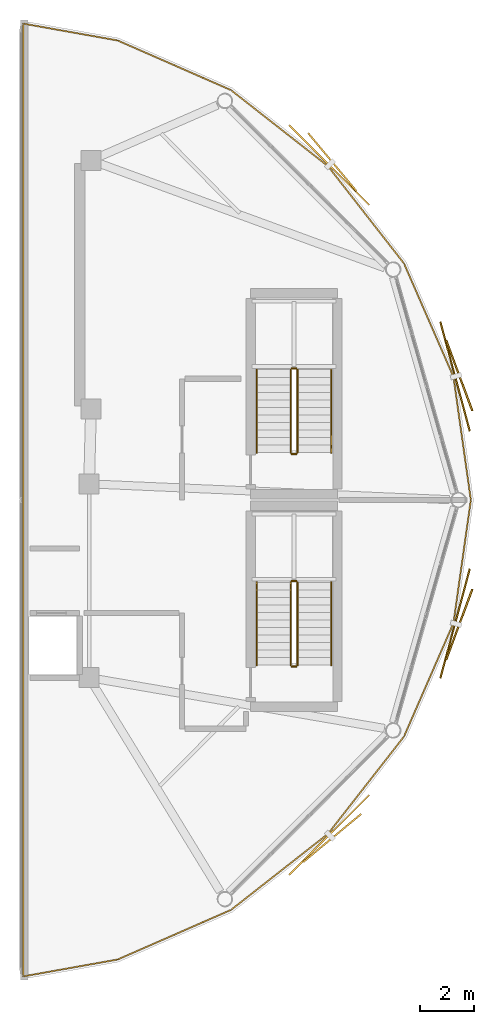
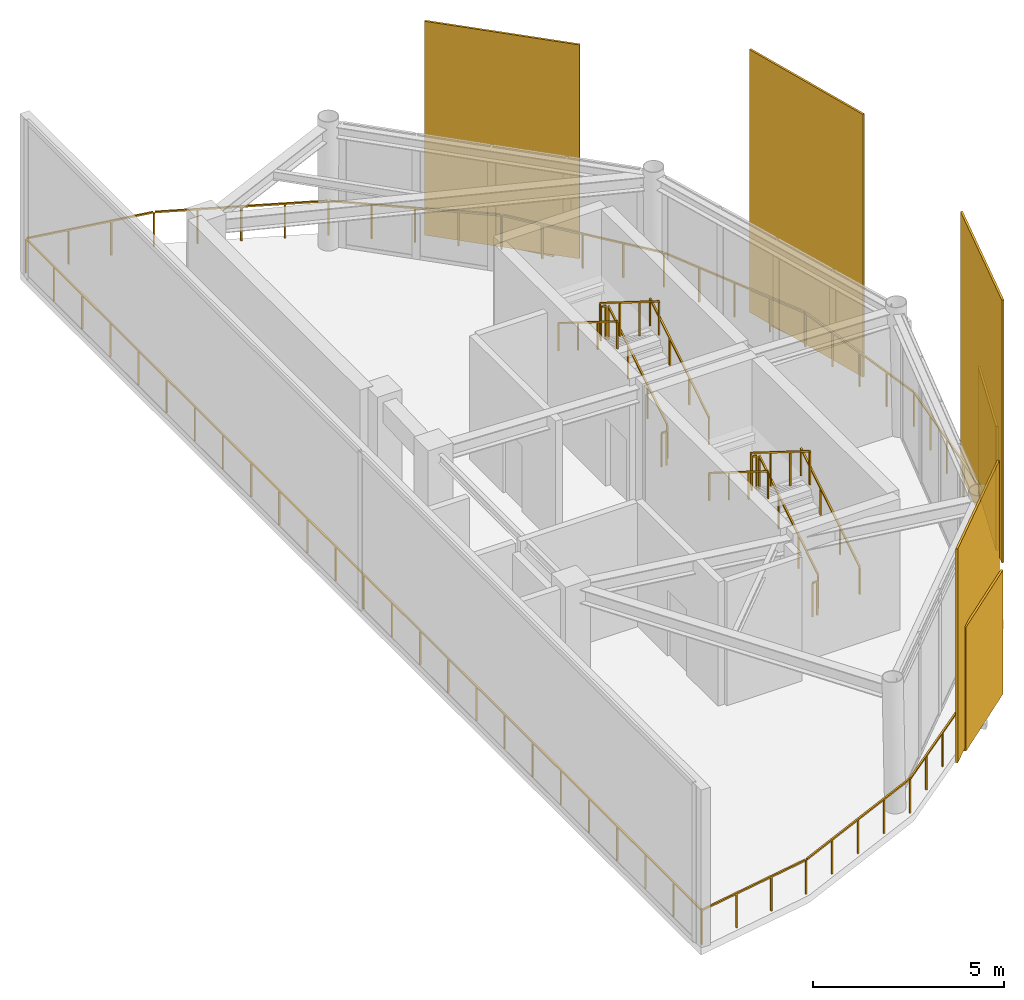
# One storey, part 13 of 13: 13 railings, 4 coverings, 4 shading devices.
"""IFC4 building model written with IfcOpenShell, lengths in metres."""

import ifcopenshell
import ifcopenshell.guid

model = None  # the IFC model being written
_history = None  # IfcOwnerHistory: only IFC2X3 demands one
_inside = {}  # id of a spatial element -> (the spatial element, [elements in it])
_under = {}  # id of a project, library or spatial element -> (it, [spatial elements below it])
_declared = {}  # id of a project -> (the project, [libraries it declares])
_typed = {}  # id of a type object -> (the type object, [elements of that type])
_made_of = {}  # id of a material, layer set ... -> (it, [elements and type objects made of it])


def new_model(schema):
    """Start an empty IFC model of exactly this schema.

    Asked for "IFC4X3", IfcOpenShell would pick the latest addendum, in which some entities
    have other attributes; the version numbers below select the first issue.
    IFC2X3 requires an IfcOwnerHistory on every rooted entity: one is made here for all.
    """
    global model, _history
    if schema == "IFC4X3":
        model = ifcopenshell.file(schema_version=(4, 3, 0, 0))
    else:
        model = ifcopenshell.file(schema=schema)
    _inside.clear()
    _under.clear()
    _declared.clear()
    _typed.clear()
    _made_of.clear()
    _history = None
    if model.schema == "IFC2X3":
        org = make("IfcOrganization", Name="unknown")
        user = make(
            "IfcPersonAndOrganization",
            ThePerson=make("IfcPerson", FamilyName="unknown"),
            TheOrganization=org,
        )
        app = make(
            "IfcApplication",
            ApplicationDeveloper=org,
            Version="unknown",
            ApplicationFullName="unknown",
            ApplicationIdentifier="unknown",
        )
        _history = make(
            "IfcOwnerHistory",
            OwningUser=user,
            OwningApplication=app,
            ChangeAction="ADDED",
            CreationDate=0,
        )
    return model


def make(cls, **values):
    """One entity of the class cls with the attributes given. An attribute that is None is left unset."""
    return model.create_entity(
        cls, **{name: value for name, value in values.items() if value is not None}
    )


def rooted(cls, **values):
    """An entity with a GlobalId (a new one), such as an element, a storey or a relation."""
    return make(cls, GlobalId=ifcopenshell.guid.new(), OwnerHistory=_history, **values)


def si_unit(unit_type, name, prefix=None):
    """IfcSIUnit, for example si_unit("LENGTHUNIT", "METRE", prefix="MILLI")."""
    return make("IfcSIUnit", UnitType=unit_type, Prefix=prefix, Name=name)


def assignment(units):
    """IfcUnitAssignment: the units of a project."""
    return None if units is None else make("IfcUnitAssignment", Units=units)


def point(xyz):
    """IfcCartesianPoint."""
    return None if xyz is None else make("IfcCartesianPoint", Coordinates=xyz)


def direction(xyz):
    """IfcDirection."""
    return None if xyz is None else make("IfcDirection", DirectionRatios=xyz)


def frame(location, z_axis=None, x_axis=None):
    """IfcAxis2Placement3D, a coordinate frame: its origin and axes. An axis left out is left unset."""
    return make(
        "IfcAxis2Placement3D",
        Location=point(location),
        Axis=direction(z_axis),
        RefDirection=direction(x_axis),
    )


def frame_2d(location, x_axis=None):
    """IfcAxis2Placement2D, a coordinate frame in the plane: its origin and x axis."""
    return make(
        "IfcAxis2Placement2D", Location=point(location), RefDirection=direction(x_axis)
    )


def origin():
    """The frame at (0, 0, 0) with its axes left unset."""
    return frame((0.0, 0.0, 0.0))


def origin_2d():
    """The frame at (0, 0) in the plane with its x axis left unset."""
    return frame_2d((0.0, 0.0))


def place(relative_to, where):
    """IfcLocalPlacement: puts the frame where relative to a parent placement (None: the world)."""
    return make(
        "IfcLocalPlacement", PlacementRelTo=relative_to, RelativePlacement=where
    )


def context(
    kind, dimensions, precision=None, world=None, true_north=None, identifier=None
):
    """IfcGeometricRepresentationContext, for example the 3D "Model" context."""
    return make(
        "IfcGeometricRepresentationContext",
        ContextIdentifier=identifier,
        ContextType=kind,
        CoordinateSpaceDimension=dimensions,
        Precision=precision,
        WorldCoordinateSystem=world,
        TrueNorth=true_north,
    )


def subcontext(parent, identifier, kind, view, scale=None):
    """IfcGeometricRepresentationSubContext, for example "Body" below "Model"."""
    return make(
        "IfcGeometricRepresentationSubContext",
        ContextIdentifier=identifier,
        ContextType=kind,
        ParentContext=parent,
        TargetScale=scale,
        TargetView=view,
    )


def project(units=None, contexts=None):
    """IfcProject with its units and contexts."""
    return rooted(
        "IfcProject",
        Name="project",
        RepresentationContexts=contexts,
        UnitsInContext=assignment(units),
    )


def spatial(cls, under=None, at=None, **own):
    """A site, building, storey or space (cls), placed at a placement, below another one or the project."""
    s = rooted(cls, ObjectPlacement=at, **own)
    if under is not None:
        _under.setdefault(under.id(), (under, []))[1].append(s)
    return s


def profile(cls, at=None, kind="AREA", **sizes):
    """A parametric profile (cls). Its sizes go by their IFC names, for example OverallWidth=200.0."""
    return make(cls, ProfileType=kind, Position=at, **sizes)


def rectangle(**sizes):
    """IfcRectangleProfileDef."""
    return profile("IfcRectangleProfileDef", **sizes)


def extrude(swept, where, along, depth):
    """IfcExtrudedAreaSolid: the profile swept, set in the frame where, extruded along a direction by depth."""
    return make(
        "IfcExtrudedAreaSolid",
        SweptArea=swept,
        Position=where,
        ExtrudedDirection=direction(along),
        Depth=depth,
    )


def shape(context_of_items, identifier, shape_type, items):
    """IfcShapeRepresentation: the items that make up one representation, for example the "Body"."""
    return make(
        "IfcShapeRepresentation",
        ContextOfItems=context_of_items,
        RepresentationIdentifier=identifier,
        RepresentationType=shape_type,
        Items=items,
    )


def source(mapping_origin, context_of_items, identifier, shape_type, items):
    """IfcRepresentationMap: a shape defined once, which mapped items show again and again."""
    return make(
        "IfcRepresentationMap",
        MappingOrigin=mapping_origin,
        MappedRepresentation=shape(context_of_items, identifier, shape_type, items),
    )


def transform(
    local_origin,
    x_axis=None,
    y_axis=None,
    z_axis=None,
    scale=None,
    scale2=None,
    scale3=None,
    uniform=True,
):
    """IfcCartesianTransformationOperator3D, or its non-uniform kind. x_axis, y_axis, z_axis: its Axis1, 2, 3."""
    if uniform:
        return make(
            "IfcCartesianTransformationOperator3D",
            Axis1=direction(x_axis),
            Axis2=direction(y_axis),
            LocalOrigin=point(local_origin),
            Scale=scale,
            Axis3=direction(z_axis),
        )
    return make(
        "IfcCartesianTransformationOperator3DnonUniform",
        Axis1=direction(x_axis),
        Axis2=direction(y_axis),
        LocalOrigin=point(local_origin),
        Scale=scale,
        Axis3=direction(z_axis),
        Scale2=scale2,
        Scale3=scale3,
    )


def mapped(mapping_source, mapping_target):
    """IfcMappedItem: shows the shape of a source again, moved by a transform."""
    return make(
        "IfcMappedItem", MappingSource=mapping_source, MappingTarget=mapping_target
    )


def material(Name=None, Category=None):
    """IfcMaterial."""
    return make("IfcMaterial", Name=Name, Category=Category)


def layer(
    of_material, thickness, ventilated=None, Name=None, Category=None, Priority=None
):
    """IfcMaterialLayer: one layer of a wall or slab, of a material (None: an air gap)."""
    return make(
        "IfcMaterialLayer",
        Material=of_material,
        LayerThickness=thickness,
        IsVentilated=ventilated,
        Name=Name,
        Category=Category,
        Priority=Priority,
    )


def layer_set(layers, Name=None):
    """IfcMaterialLayerSet."""
    return make("IfcMaterialLayerSet", MaterialLayers=layers, LayerSetName=Name)


def made_of(thing, what):
    """Note that an element or type object is made of a material, layer set ...; save() writes the relation."""
    if what is not None:
        _made_of.setdefault(what.id(), (what, []))[1].append(thing)
    return thing


def type_object(cls, material=None, **own):
    """A type object (cls), such as IfcWallType, which elements share."""
    return made_of(rooted(cls, **own), material)


def type_shapes(of_type, sources):
    """Give a type object the sources (RepresentationMaps) that its elements show as mapped items."""
    of_type.RepresentationMaps = sources


def element(
    cls,
    number,
    at=None,
    inside=None,
    cuts=None,
    type_object=None,
    material=None,
    context=None,
    identifier="Body",
    shape_type=None,
    held_by="IfcProductDefinitionShape",
    body=None,
    shapes=None,
    **own,
):
    """One element of the class cls, such as IfcWall. Its Tag is "e" and its number.

    at: its placement. inside: the storey or other place that contains it. cuts: it is an
    opening in that element (IfcRelVoidsElement). A single representation is given by context,
    identifier, shape_type and body (its items); several are given by shapes. held_by: the class
    of the entity that holds the representations. save() writes the other relations.
    """
    e = rooted(cls, Tag="e%d" % number, ObjectPlacement=at, **own)
    if body is not None:
        shapes = [shape(context, identifier, shape_type, body)]
    if shapes is not None:
        e.Representation = make(held_by, Representations=shapes)
    if inside is not None:
        _inside.setdefault(inside.id(), (inside, []))[1].append(e)
    if cuts is not None:
        rooted(
            "IfcRelVoidsElement", RelatingBuildingElement=cuts, RelatedOpeningElement=e
        )
    if type_object is not None:
        _typed.setdefault(type_object.id(), (type_object, []))[1].append(e)
    return made_of(e, material)


def aggregate(whole, parts):
    """IfcRelAggregates: a whole, such as a stair, and the parts it consists of."""
    return rooted("IfcRelAggregates", RelatingObject=whole, RelatedObjects=parts)


def save(model, path):
    """Write the relations noted so far, then the file.

    IfcRelAggregates (storeys below a building ...), IfcRelContainedInSpatialStructure (elements
    in a storey), IfcRelDefinesByType, IfcRelAssociatesMaterial and IfcRelDeclares: one each for
    every whole, place, type object, material and project.
    """
    for whole, parts in _under.values():
        aggregate(whole, parts)
    for where, things in _inside.values():
        rooted(
            "IfcRelContainedInSpatialStructure",
            RelatedElements=things,
            RelatingStructure=where,
        )
    for kind, things in _typed.values():
        rooted("IfcRelDefinesByType", RelatedObjects=things, RelatingType=kind)
    for what, things in _made_of.values():
        rooted("IfcRelAssociatesMaterial", RelatedObjects=things, RelatingMaterial=what)
    for by, libraries in _declared.values():
        rooted("IfcRelDeclares", RelatingContext=by, RelatedDefinitions=libraries)
    model.write(path)


model = new_model("IFC4")

# Units and contexts
model_context = context("Model", 3, precision=1e-05, world=origin(), true_north=direction((0.0, 1.0)))
body_context = subcontext(model_context, "Body", "Model", "MODEL_VIEW")
ifc_project = project(units=[si_unit("LENGTHUNIT", "METRE"), si_unit("AREAUNIT", "SQUARE_METRE"), si_unit("VOLUMEUNIT", "CUBIC_METRE"), si_unit("PLANEANGLEUNIT", "RADIAN"), si_unit("MASSUNIT", "GRAM", prefix="KILO")], contexts=[model_context])

# Site, building, storey
site_placement = place(None, origin())
site = spatial("IfcSite", under=ifc_project, at=site_placement, CompositionType="ELEMENT")
building_placement = place(site_placement, origin())
building = spatial("IfcBuilding", under=site, at=building_placement, Name="Varnakorn Sky Granary", CompositionType="ELEMENT")
storey_placement = place(building_placement, frame((0.0, 0.0, 315.0)))
storey = spatial("IfcBuildingStorey", under=building, at=storey_placement, Name="L80", CompositionType="ELEMENT", Elevation=315.0)

# Railings
ifc_material_1 = material(Name="Anodised Bronze Aluminium Alloy 6063-T6", Category="aluminium")
railing_type_1 = type_object("IfcRailingType", Name="RL-BAL-1120", PredefinedType="BALUSTRADE", material=ifc_material_1)
railing_1_placement = place(storey_placement, frame((22.534912109375, 0.0, 0.0)))
element("IfcRailing", 1, at=railing_1_placement, inside=storey, type_object=railing_type_1, Name="Perimeter Slab-Edge Safety Guard L80", PredefinedType="BALUSTRADE", context=body_context, shape_type="SweptSolid", body=[
    extrude(rectangle(XDim=0.048095703125, YDim=0.048095703125, at=origin_2d()), frame((-0.00390625, -0.02783203125, 1.09619140625), z_axis=(-0.139763449272, -0.990184921238, 0.0), x_axis=(0.990184921238, -0.139763449272, 0.0)), (0.0, 0.0, 1.0), 4.5625),
    extrude(rectangle(XDim=0.048095703125, YDim=0.048095703125, at=origin_2d()), frame((-0.65673828125, -4.598876953125, 1.09619140625), z_axis=(-0.399788878548, -0.916607251002, 0.0), x_axis=(0.916607251002, -0.399788878548, 0.0)), (0.0, 0.0, 1.0), 4.546142578125),
    extrude(rectangle(XDim=0.048095703125, YDim=0.048095703125, at=origin_2d()), frame((-2.502685546875, -8.8134765625, 1.09619140625), z_axis=(-0.615668852574, -0.788004989813, 0.0), x_axis=(0.788004989813, -0.615668852574, 0.0)), (0.0, 0.0, 1.0), 4.52685546875),
    extrude(rectangle(XDim=0.048095703125, YDim=0.048095703125, at=origin_2d()), frame((-5.328857421875, -12.420166015625, 1.09619140625), z_axis=(-0.786822968244, -0.617178755827, 0.0), x_axis=(0.617178755827, -0.786822968244, 0.0)), (0.0, 0.0, 1.0), 4.524658203125),
    extrude(rectangle(XDim=0.048095703125, YDim=0.048095703125, at=origin_2d()), frame((-8.936767578125, -15.2412109375, 1.09619140625), z_axis=(-0.916037854555, -0.401091821186, 0.0), x_axis=(0.401091821186, -0.916037854555, 0.0)), (0.0, 0.0, 1.0), 4.54150390625),
    extrude(rectangle(XDim=0.048095703125, YDim=0.048095703125, at=origin_2d()), frame((-13.150146484375, -17.078857421875, 1.09619140625), z_axis=(-0.984417001407, -0.175849843165, 0.0), x_axis=(0.175849843165, -0.984417001407, 0.0)), (0.0, 0.0, 1.0), 3.511962890625),
    extrude(rectangle(XDim=0.048095703125, YDim=0.048095703125, at=origin_2d()), frame((-16.635009765625, -17.67333984375, 1.09619140625), z_axis=(0.0, 1.0, 0.0), x_axis=(-1.0, 0.0, 0.0)), (0.0, 0.0, 1.0), 35.346923828125),
    extrude(rectangle(XDim=0.048095703125, YDim=0.048095703125, at=origin_2d()), frame((-16.607421875, 17.696533203125, 1.09619140625), z_axis=(0.984417001407, -0.175849843165, 0.0), x_axis=(0.175849843165, 0.984417001407, 0.0)), (0.0, 0.0, 1.0), 3.511962890625),
    extrude(rectangle(XDim=0.048095703125, YDim=0.048095703125, at=origin_2d()), frame((-13.096923828125, 17.062744140625, 1.09619140625), z_axis=(0.916037854555, -0.401091821186, 0.0), x_axis=(0.401091821186, 0.916037854555, 0.0)), (0.0, 0.0, 1.0), 4.54150390625),
    extrude(rectangle(XDim=0.048095703125, YDim=0.048095703125, at=origin_2d()), frame((-8.88916015625, 15.212646484375, 1.09619140625), z_axis=(0.786822968244, -0.617178755827, 0.0), x_axis=(0.617178755827, 0.786822968244, 0.0)), (0.0, 0.0, 1.0), 4.524658203125),
    extrude(rectangle(XDim=0.048095703125, YDim=0.048095703125, at=origin_2d()), frame((-5.28955078125, 12.380859375, 1.09619140625), z_axis=(0.615668852574, -0.788004989813, 0.0), x_axis=(0.788004989813, 0.615668852574, 0.0)), (0.0, 0.0, 1.0), 4.52685546875),
    extrude(rectangle(XDim=0.048095703125, YDim=0.048095703125, at=origin_2d()), frame((-2.47412109375, 8.765869140625, 1.09619140625), z_axis=(0.399788878548, -0.916607251002, 0.0), x_axis=(0.916607251002, 0.399788878548, 0.0)), (0.0, 0.0, 1.0), 4.546142578125),
    extrude(rectangle(XDim=0.048095703125, YDim=0.048095703125, at=origin_2d()), frame((-0.6416015625, 4.54541015625, 1.09619140625), z_axis=(0.139763449272, -0.990184921238, 0.0), x_axis=(0.990184921238, 0.139763449272, 0.0)), (0.0, 0.0, 1.0), 4.5625),
    extrude(rectangle(XDim=0.0419921875, YDim=0.0419921875, at=origin_2d()), origin(), (0.0, 0.0, 1.0), 1.068115234375),
    extrude(rectangle(XDim=0.0419921875, YDim=0.0419921875, at=origin_2d()), frame((-0.161376953125, -1.143310546875, 0.0)), (0.0, 0.0, 1.0), 1.068115234375),
    extrude(rectangle(XDim=0.0419921875, YDim=0.0419921875, at=origin_2d()), frame((-0.32275390625, -2.28662109375, 0.0)), (0.0, 0.0, 1.0), 1.068115234375),
    extrude(rectangle(XDim=0.0419921875, YDim=0.0419921875, at=origin_2d()), frame((-0.484130859375, -3.429931640625, 0.0)), (0.0, 0.0, 1.0), 1.068115234375),
    extrude(rectangle(XDim=0.0419921875, YDim=0.0419921875, at=origin_2d()), frame((-0.6455078125, -4.5732421875, 0.0)), (0.0, 0.0, 1.0), 1.068115234375),
    extrude(rectangle(XDim=0.0419921875, YDim=0.0419921875, at=origin_2d()), frame((-1.10546875, -5.6279296875, 0.0)), (0.0, 0.0, 1.0), 1.068115234375),
    extrude(rectangle(XDim=0.0419921875, YDim=0.0419921875, at=origin_2d()), frame((-1.5654296875, -6.682373046875, 0.0)), (0.0, 0.0, 1.0), 1.068115234375),
    extrude(rectangle(XDim=0.0419921875, YDim=0.0419921875, at=origin_2d()), frame((-2.025390625, -7.73681640625, 0.0)), (0.0, 0.0, 1.0), 1.068115234375),
    extrude(rectangle(XDim=0.0419921875, YDim=0.0419921875, at=origin_2d()), frame((-2.4853515625, -8.79150390625, 0.0)), (0.0, 0.0, 1.0), 1.068115234375),
    extrude(rectangle(XDim=0.0419921875, YDim=0.0419921875, at=origin_2d()), frame((-3.190673828125, -9.6943359375, 0.0)), (0.0, 0.0, 1.0), 1.068115234375),
    extrude(rectangle(XDim=0.0419921875, YDim=0.0419921875, at=origin_2d()), frame((-3.89599609375, -10.59716796875, 0.0)), (0.0, 0.0, 1.0), 1.068115234375),
    extrude(rectangle(XDim=0.0419921875, YDim=0.0419921875, at=origin_2d()), frame((-4.6015625, -11.5, 0.0)), (0.0, 0.0, 1.0), 1.068115234375),
    extrude(rectangle(XDim=0.0419921875, YDim=0.0419921875, at=origin_2d()), frame((-5.306884765625, -12.40283203125, 0.0)), (0.0, 0.0, 1.0), 1.068115234375),
    extrude(rectangle(XDim=0.0419921875, YDim=0.0419921875, at=origin_2d()), frame((-6.2080078125, -13.109619140625, 0.0)), (0.0, 0.0, 1.0), 1.068115234375),
    extrude(rectangle(XDim=0.0419921875, YDim=0.0419921875, at=origin_2d()), frame((-7.10888671875, -13.81640625, 0.0)), (0.0, 0.0, 1.0), 1.068115234375),
    extrude(rectangle(XDim=0.0419921875, YDim=0.0419921875, at=origin_2d()), frame((-8.010009765625, -14.523193359375, 0.0)), (0.0, 0.0, 1.0), 1.068115234375),
    extrude(rectangle(XDim=0.0419921875, YDim=0.0419921875, at=origin_2d()), frame((-8.9111328125, -15.22998046875, 0.0)), (0.0, 0.0, 1.0), 1.068115234375),
    extrude(rectangle(XDim=0.0419921875, YDim=0.0419921875, at=origin_2d()), frame((-9.9638671875, -15.69091796875, 0.0)), (0.0, 0.0, 1.0), 1.068115234375),
    extrude(rectangle(XDim=0.0419921875, YDim=0.0419921875, at=origin_2d()), frame((-11.016845703125, -16.15185546875, 0.0)), (0.0, 0.0, 1.0), 1.068115234375),
    extrude(rectangle(XDim=0.0419921875, YDim=0.0419921875, at=origin_2d()), frame((-12.06982421875, -16.613037109375, 0.0)), (0.0, 0.0, 1.0), 1.068115234375),
    extrude(rectangle(XDim=0.0419921875, YDim=0.0419921875, at=origin_2d()), frame((-13.12255859375, -17.073974609375, 0.0)), (0.0, 0.0, 1.0), 1.068115234375),
    extrude(rectangle(XDim=0.0419921875, YDim=0.0419921875, at=origin_2d()), frame((-14.29345703125, -17.283203125, 0.0)), (0.0, 0.0, 1.0), 1.068115234375),
    extrude(rectangle(XDim=0.0419921875, YDim=0.0419921875, at=origin_2d()), frame((-15.464111328125, -17.4921875, 0.0)), (0.0, 0.0, 1.0), 1.068115234375),
    extrude(rectangle(XDim=0.0419921875, YDim=0.0419921875, at=origin_2d()), frame((-16.635009765625, -17.701416015625, 0.0)), (0.0, 0.0, 1.0), 1.068115234375),
    extrude(rectangle(XDim=0.0419921875, YDim=0.0419921875, at=origin_2d()), frame((-16.635009765625, -16.226318359375, 0.0)), (0.0, 0.0, 1.0), 1.068115234375),
    extrude(rectangle(XDim=0.0419921875, YDim=0.0419921875, at=origin_2d()), frame((-16.635009765625, -14.751220703125, 0.0)), (0.0, 0.0, 1.0), 1.068115234375),
    extrude(rectangle(XDim=0.0419921875, YDim=0.0419921875, at=origin_2d()), frame((-16.635009765625, -13.276123046875, 0.0)), (0.0, 0.0, 1.0), 1.068115234375),
    extrude(rectangle(XDim=0.0419921875, YDim=0.0419921875, at=origin_2d()), frame((-16.635009765625, -11.801025390625, 0.0)), (0.0, 0.0, 1.0), 1.068115234375),
    extrude(rectangle(XDim=0.0419921875, YDim=0.0419921875, at=origin_2d()), frame((-16.635009765625, -10.325927734375, 0.0)), (0.0, 0.0, 1.0), 1.068115234375),
    extrude(rectangle(XDim=0.0419921875, YDim=0.0419921875, at=origin_2d()), frame((-16.635009765625, -8.8505859375, 0.0)), (0.0, 0.0, 1.0), 1.068115234375),
    extrude(rectangle(XDim=0.0419921875, YDim=0.0419921875, at=origin_2d()), frame((-16.635009765625, -7.37548828125, 0.0)), (0.0, 0.0, 1.0), 1.068115234375),
    extrude(rectangle(XDim=0.0419921875, YDim=0.0419921875, at=origin_2d()), frame((-16.635009765625, -5.900390625, 0.0)), (0.0, 0.0, 1.0), 1.068115234375),
    extrude(rectangle(XDim=0.0419921875, YDim=0.0419921875, at=origin_2d()), frame((-16.635009765625, -4.42529296875, 0.0)), (0.0, 0.0, 1.0), 1.068115234375),
    extrude(rectangle(XDim=0.0419921875, YDim=0.0419921875, at=origin_2d()), frame((-16.635009765625, -2.9501953125, 0.0)), (0.0, 0.0, 1.0), 1.068115234375),
    extrude(rectangle(XDim=0.0419921875, YDim=0.0419921875, at=origin_2d()), frame((-16.635009765625, -1.47509765625, 0.0)), (0.0, 0.0, 1.0), 1.068115234375),
    extrude(rectangle(XDim=0.0419921875, YDim=0.0419921875, at=origin_2d()), frame((-16.635009765625, 0.0, 0.0)), (0.0, 0.0, 1.0), 1.068115234375),
    extrude(rectangle(XDim=0.0419921875, YDim=0.0419921875, at=origin_2d()), frame((-16.635009765625, 1.47509765625, 0.0)), (0.0, 0.0, 1.0), 1.068115234375),
    extrude(rectangle(XDim=0.0419921875, YDim=0.0419921875, at=origin_2d()), frame((-16.635009765625, 2.9501953125, 0.0)), (0.0, 0.0, 1.0), 1.068115234375),
    extrude(rectangle(XDim=0.0419921875, YDim=0.0419921875, at=origin_2d()), frame((-16.635009765625, 4.42529296875, 0.0)), (0.0, 0.0, 1.0), 1.068115234375),
    extrude(rectangle(XDim=0.0419921875, YDim=0.0419921875, at=origin_2d()), frame((-16.635009765625, 5.900390625, 0.0)), (0.0, 0.0, 1.0), 1.068115234375),
    extrude(rectangle(XDim=0.0419921875, YDim=0.0419921875, at=origin_2d()), frame((-16.635009765625, 7.37548828125, 0.0)), (0.0, 0.0, 1.0), 1.068115234375),
    extrude(rectangle(XDim=0.0419921875, YDim=0.0419921875, at=origin_2d()), frame((-16.635009765625, 8.8505859375, 0.0)), (0.0, 0.0, 1.0), 1.068115234375),
    extrude(rectangle(XDim=0.0419921875, YDim=0.0419921875, at=origin_2d()), frame((-16.635009765625, 10.325927734375, 0.0)), (0.0, 0.0, 1.0), 1.068115234375),
    extrude(rectangle(XDim=0.0419921875, YDim=0.0419921875, at=origin_2d()), frame((-16.635009765625, 11.801025390625, 0.0)), (0.0, 0.0, 1.0), 1.068115234375),
    extrude(rectangle(XDim=0.0419921875, YDim=0.0419921875, at=origin_2d()), frame((-16.635009765625, 13.276123046875, 0.0)), (0.0, 0.0, 1.0), 1.068115234375),
    extrude(rectangle(XDim=0.0419921875, YDim=0.0419921875, at=origin_2d()), frame((-16.635009765625, 14.751220703125, 0.0)), (0.0, 0.0, 1.0), 1.068115234375),
    extrude(rectangle(XDim=0.0419921875, YDim=0.0419921875, at=origin_2d()), frame((-16.635009765625, 16.226318359375, 0.0)), (0.0, 0.0, 1.0), 1.068115234375),
    extrude(rectangle(XDim=0.0419921875, YDim=0.0419921875, at=origin_2d()), frame((-16.635009765625, 17.701416015625, 0.0)), (0.0, 0.0, 1.0), 1.068115234375),
    extrude(rectangle(XDim=0.0419921875, YDim=0.0419921875, at=origin_2d()), frame((-15.464111328125, 17.4921875, 0.0)), (0.0, 0.0, 1.0), 1.068115234375),
    extrude(rectangle(XDim=0.0419921875, YDim=0.0419921875, at=origin_2d()), frame((-14.29345703125, 17.283203125, 0.0)), (0.0, 0.0, 1.0), 1.068115234375),
    extrude(rectangle(XDim=0.0419921875, YDim=0.0419921875, at=origin_2d()), frame((-13.12255859375, 17.073974609375, 0.0)), (0.0, 0.0, 1.0), 1.068115234375),
    extrude(rectangle(XDim=0.0419921875, YDim=0.0419921875, at=origin_2d()), frame((-12.06982421875, 16.613037109375, 0.0)), (0.0, 0.0, 1.0), 1.068115234375),
    extrude(rectangle(XDim=0.0419921875, YDim=0.0419921875, at=origin_2d()), frame((-11.016845703125, 16.15185546875, 0.0)), (0.0, 0.0, 1.0), 1.068115234375),
    extrude(rectangle(XDim=0.0419921875, YDim=0.0419921875, at=origin_2d()), frame((-9.9638671875, 15.69091796875, 0.0)), (0.0, 0.0, 1.0), 1.068115234375),
    extrude(rectangle(XDim=0.0419921875, YDim=0.0419921875, at=origin_2d()), frame((-8.9111328125, 15.22998046875, 0.0)), (0.0, 0.0, 1.0), 1.068115234375),
    extrude(rectangle(XDim=0.0419921875, YDim=0.0419921875, at=origin_2d()), frame((-8.010009765625, 14.523193359375, 0.0)), (0.0, 0.0, 1.0), 1.068115234375),
    extrude(rectangle(XDim=0.0419921875, YDim=0.0419921875, at=origin_2d()), frame((-7.10888671875, 13.81640625, 0.0)), (0.0, 0.0, 1.0), 1.068115234375),
    extrude(rectangle(XDim=0.0419921875, YDim=0.0419921875, at=origin_2d()), frame((-6.2080078125, 13.109619140625, 0.0)), (0.0, 0.0, 1.0), 1.068115234375),
    extrude(rectangle(XDim=0.0419921875, YDim=0.0419921875, at=origin_2d()), frame((-5.306884765625, 12.40283203125, 0.0)), (0.0, 0.0, 1.0), 1.068115234375),
    extrude(rectangle(XDim=0.0419921875, YDim=0.0419921875, at=origin_2d()), frame((-4.6015625, 11.5, 0.0)), (0.0, 0.0, 1.0), 1.068115234375),
    extrude(rectangle(XDim=0.0419921875, YDim=0.0419921875, at=origin_2d()), frame((-3.89599609375, 10.59716796875, 0.0)), (0.0, 0.0, 1.0), 1.068115234375),
    extrude(rectangle(XDim=0.0419921875, YDim=0.0419921875, at=origin_2d()), frame((-3.190673828125, 9.6943359375, 0.0)), (0.0, 0.0, 1.0), 1.068115234375),
    extrude(rectangle(XDim=0.0419921875, YDim=0.0419921875, at=origin_2d()), frame((-2.4853515625, 8.79150390625, 0.0)), (0.0, 0.0, 1.0), 1.068115234375),
    extrude(rectangle(XDim=0.0419921875, YDim=0.0419921875, at=origin_2d()), frame((-2.025390625, 7.73681640625, 0.0)), (0.0, 0.0, 1.0), 1.068115234375),
    extrude(rectangle(XDim=0.0419921875, YDim=0.0419921875, at=origin_2d()), frame((-1.5654296875, 6.682373046875, 0.0)), (0.0, 0.0, 1.0), 1.068115234375),
    extrude(rectangle(XDim=0.0419921875, YDim=0.0419921875, at=origin_2d()), frame((-1.10546875, 5.6279296875, 0.0)), (0.0, 0.0, 1.0), 1.068115234375),
    extrude(rectangle(XDim=0.0419921875, YDim=0.0419921875, at=origin_2d()), frame((-0.6455078125, 4.5732421875, 0.0)), (0.0, 0.0, 1.0), 1.068115234375),
    extrude(rectangle(XDim=0.0419921875, YDim=0.0419921875, at=origin_2d()), frame((-0.484130859375, 3.429931640625, 0.0)), (0.0, 0.0, 1.0), 1.068115234375),
    extrude(rectangle(XDim=0.0419921875, YDim=0.0419921875, at=origin_2d()), frame((-0.32275390625, 2.28662109375, 0.0)), (0.0, 0.0, 1.0), 1.068115234375),
    extrude(rectangle(XDim=0.0419921875, YDim=0.0419921875, at=origin_2d()), frame((-0.161376953125, 1.143310546875, 0.0)), (0.0, 0.0, 1.0), 1.068115234375),
])
ifc_material_2 = material(Name="Brushed Stainless Steel 316", Category="steel")
railing_type_2 = type_object("IfcRailingType", Name="RL-STAIR-1100", PredefinedType="GUARDRAIL", material=ifc_material_2)
railing_2_placement = place(storey_placement, frame((16.090087890625, 1.760009765625, 0.175048828125)))
element("IfcRailing", 2, at=railing_2_placement, inside=storey, type_object=railing_type_2, Name="L80 ST-C1 stair guard 1", PredefinedType="GUARDRAIL", context=body_context, shape_type="SweptSolid", body=[
    extrude(rectangle(XDim=0.048095703125, YDim=0.048095703125, at=origin_2d()), frame((0.0, 0.0, 1.076171875), z_axis=(0.0, 0.847998304005, 0.529998940003), x_axis=(-1.0, 0.0, 0.0)), (0.0, 0.0, 1.0), 3.632080078125),
    extrude(rectangle(XDim=0.0419921875, YDim=0.0419921875, at=origin_2d()), origin(), (0.0, 0.0, 1.0), 1.048095703125),
    extrude(rectangle(XDim=0.0419921875, YDim=0.0419921875, at=origin_2d()), frame((0.0, 1.026611328125, 0.6416015625)), (0.0, 0.0, 1.0), 1.048095703125),
    extrude(rectangle(XDim=0.0419921875, YDim=0.0419921875, at=origin_2d()), frame((0.0, 2.053466796875, 1.283447265625)), (0.0, 0.0, 1.0), 1.048095703125),
    extrude(rectangle(XDim=0.0419921875, YDim=0.0419921875, at=origin_2d()), frame((0.0, 3.080078125, 1.925048828125)), (0.0, 0.0, 1.0), 1.048095703125),
])
railing_3_placement = place(storey_placement, frame((16.0400390625, 4.889892578125, 2.10009765625)))
element("IfcRailing", 3, at=railing_3_placement, inside=storey, type_object=railing_type_2, Name="L80 ST-C1 stair guard 2", PredefinedType="GUARDRAIL", context=body_context, shape_type="SweptSolid", body=[
    extrude(rectangle(XDim=0.048095703125, YDim=0.048095703125, at=origin_2d()), frame((0.0, 0.0, 1.076171875), z_axis=(-1.0, 0.0, 0.0), x_axis=(0.0, -1.0, 0.0)), (0.0, 0.0, 1.0), 0.150146484375),
    extrude(rectangle(XDim=0.0419921875, YDim=0.0419921875, at=origin_2d()), origin(), (0.0, 0.0, 1.0), 1.048095703125),
    extrude(rectangle(XDim=0.0419921875, YDim=0.0419921875, at=origin_2d()), frame((-0.150146484375, 0.0, 0.0)), (0.0, 0.0, 1.0), 1.048095703125),
])
railing_4_placement = place(storey_placement, frame((15.840087890625, 4.840087890625, 2.27490234375)))
element("IfcRailing", 4, at=railing_4_placement, inside=storey, type_object=railing_type_2, Name="L80 ST-C1 stair guard 3", PredefinedType="GUARDRAIL", context=body_context, shape_type="SweptSolid", body=[
    extrude(rectangle(XDim=0.048095703125, YDim=0.048095703125, at=origin_2d()), frame((0.0, 0.0, 1.076171875), z_axis=(0.0, -0.847998304005, 0.529998940003), x_axis=(1.0, 0.0, 0.0)), (0.0, 0.0, 1.0), 3.632080078125),
    extrude(rectangle(XDim=0.0419921875, YDim=0.0419921875, at=origin_2d()), origin(), (0.0, 0.0, 1.0), 1.048095703125),
    extrude(rectangle(XDim=0.0419921875, YDim=0.0419921875, at=origin_2d()), frame((0.0, -1.026611328125, 0.6416015625)), (0.0, 0.0, 1.0), 1.048095703125),
    extrude(rectangle(XDim=0.0419921875, YDim=0.0419921875, at=origin_2d()), frame((0.0, -2.053466796875, 1.283447265625)), (0.0, 0.0, 1.0), 1.048095703125),
    extrude(rectangle(XDim=0.0419921875, YDim=0.0419921875, at=origin_2d()), frame((0.0, -3.080078125, 1.925048828125)), (0.0, 0.0, 1.0), 1.048095703125),
])
railing_5_placement = place(storey_placement, frame((16.0400390625, 1.7099609375, 0.0)))
element("IfcRailing", 5, at=railing_5_placement, inside=storey, type_object=railing_type_2, Name="L80 ST-C1 stair guard 4", PredefinedType="GUARDRAIL", context=body_context, shape_type="SweptSolid", body=[
    extrude(rectangle(XDim=0.048095703125, YDim=0.048095703125, at=origin_2d()), frame((0.0, 0.0, 1.076171875), z_axis=(-1.0, 0.0, 0.0), x_axis=(0.0, -1.0, 0.0)), (0.0, 0.0, 1.0), 0.150146484375),
    extrude(rectangle(XDim=0.0419921875, YDim=0.0419921875, at=origin_2d()), origin(), (0.0, 0.0, 1.0), 1.048095703125),
    extrude(rectangle(XDim=0.0419921875, YDim=0.0419921875, at=origin_2d()), frame((-0.150146484375, 0.0, 0.0)), (0.0, 0.0, 1.0), 1.048095703125),
])
railing_6_placement = place(storey_placement, frame((16.090087890625, -6.139892578125, 0.175048828125)))
element("IfcRailing", 6, at=railing_6_placement, inside=storey, type_object=railing_type_2, Name="L80 ST-C2 stair guard 1", PredefinedType="GUARDRAIL", context=body_context, shape_type="SweptSolid", body=[
    extrude(rectangle(XDim=0.048095703125, YDim=0.048095703125, at=origin_2d()), frame((0.0, 0.0, 1.076171875), z_axis=(0.0, 0.847979421464, 0.530029150871), x_axis=(-1.0, 0.0, 0.0)), (0.0, 0.0, 1.0), 3.632080078125),
    extrude(rectangle(XDim=0.0419921875, YDim=0.0419921875, at=origin_2d()), origin(), (0.0, 0.0, 1.0), 1.048095703125),
    extrude(rectangle(XDim=0.0419921875, YDim=0.0419921875, at=origin_2d()), frame((0.0, 1.026611328125, 0.6416015625)), (0.0, 0.0, 1.0), 1.048095703125),
    extrude(rectangle(XDim=0.0419921875, YDim=0.0419921875, at=origin_2d()), frame((0.0, 2.05322265625, 1.283447265625)), (0.0, 0.0, 1.0), 1.048095703125),
    extrude(rectangle(XDim=0.0419921875, YDim=0.0419921875, at=origin_2d()), frame((0.0, 3.079833984375, 1.925048828125)), (0.0, 0.0, 1.0), 1.048095703125),
])
railing_7_placement = place(storey_placement, frame((16.0400390625, -3.010009765625, 2.10009765625)))
element("IfcRailing", 7, at=railing_7_placement, inside=storey, type_object=railing_type_2, Name="L80 ST-C2 stair guard 2", PredefinedType="GUARDRAIL", context=body_context, shape_type="SweptSolid", body=[
    extrude(rectangle(XDim=0.048095703125, YDim=0.048095703125, at=origin_2d()), frame((0.0, 0.0, 1.076171875), z_axis=(-1.0, 0.0, 0.0), x_axis=(0.0, -1.0, 0.0)), (0.0, 0.0, 1.0), 0.150146484375),
    extrude(rectangle(XDim=0.0419921875, YDim=0.0419921875, at=origin_2d()), origin(), (0.0, 0.0, 1.0), 1.048095703125),
    extrude(rectangle(XDim=0.0419921875, YDim=0.0419921875, at=origin_2d()), frame((-0.150146484375, 0.0, 0.0)), (0.0, 0.0, 1.0), 1.048095703125),
])
railing_8_placement = place(storey_placement, frame((15.840087890625, -3.06005859375, 2.27490234375)))
element("IfcRailing", 8, at=railing_8_placement, inside=storey, type_object=railing_type_2, Name="L80 ST-C2 stair guard 3", PredefinedType="GUARDRAIL", context=body_context, shape_type="SweptSolid", body=[
    extrude(rectangle(XDim=0.048095703125, YDim=0.048095703125, at=origin_2d()), frame((0.0, 0.0, 1.076171875), z_axis=(0.0, -0.847979421464, 0.530029150871), x_axis=(1.0, 0.0, 0.0)), (0.0, 0.0, 1.0), 3.632080078125),
    extrude(rectangle(XDim=0.0419921875, YDim=0.0419921875, at=origin_2d()), origin(), (0.0, 0.0, 1.0), 1.048095703125),
    extrude(rectangle(XDim=0.0419921875, YDim=0.0419921875, at=origin_2d()), frame((0.0, -1.026611328125, 0.6416015625)), (0.0, 0.0, 1.0), 1.048095703125),
    extrude(rectangle(XDim=0.0419921875, YDim=0.0419921875, at=origin_2d()), frame((0.0, -2.05322265625, 1.283447265625)), (0.0, 0.0, 1.0), 1.048095703125),
    extrude(rectangle(XDim=0.0419921875, YDim=0.0419921875, at=origin_2d()), frame((0.0, -3.079833984375, 1.925048828125)), (0.0, 0.0, 1.0), 1.048095703125),
])
railing_9_placement = place(storey_placement, frame((16.0400390625, -6.18994140625, 0.0)))
element("IfcRailing", 9, at=railing_9_placement, inside=storey, type_object=railing_type_2, Name="L80 ST-C2 stair guard 4", PredefinedType="GUARDRAIL", context=body_context, shape_type="SweptSolid", body=[
    extrude(rectangle(XDim=0.048095703125, YDim=0.048095703125, at=origin_2d()), frame((0.0, 0.0, 1.076171875), z_axis=(-1.0, 0.0, 0.0), x_axis=(0.0, -1.0, 0.0)), (0.0, 0.0, 1.0), 0.150146484375),
    extrude(rectangle(XDim=0.0419921875, YDim=0.0419921875, at=origin_2d()), origin(), (0.0, 0.0, 1.0), 1.048095703125),
    extrude(rectangle(XDim=0.0419921875, YDim=0.0419921875, at=origin_2d()), frame((-0.150146484375, 0.0, 0.0)), (0.0, 0.0, 1.0), 1.048095703125),
])
railing_type_3 = type_object("IfcRailingType", Name="RL-STAIR-920", PredefinedType="HANDRAIL", material=ifc_material_2)
railing_10_placement = place(storey_placement, frame((17.35009765625, 1.760009765625, 0.175048828125)))
element("IfcRailing", 10, at=railing_10_placement, inside=storey, type_object=railing_type_3, Name="L80 ST-C1 stair handrail 1", PredefinedType="HANDRAIL", context=body_context, shape_type="SweptSolid", body=[
    extrude(rectangle(XDim=0.048095703125, YDim=0.048095703125, at=origin_2d()), frame((0.0, 0.0, 0.8759765625), z_axis=(0.0, 0.847998304005, 0.529998940003), x_axis=(-1.0, 0.0, 0.0)), (0.0, 0.0, 1.0), 3.632080078125),
    extrude(rectangle(XDim=0.0419921875, YDim=0.0419921875, at=origin_2d()), origin(), (0.0, 0.0, 1.0), 0.847900390625),
    extrude(rectangle(XDim=0.0419921875, YDim=0.0419921875, at=origin_2d()), frame((0.0, 1.026611328125, 0.6416015625)), (0.0, 0.0, 1.0), 0.847900390625),
    extrude(rectangle(XDim=0.0419921875, YDim=0.0419921875, at=origin_2d()), frame((0.0, 2.053466796875, 1.283447265625)), (0.0, 0.0, 1.0), 0.847900390625),
    extrude(rectangle(XDim=0.0419921875, YDim=0.0419921875, at=origin_2d()), frame((0.0, 3.080078125, 1.925048828125)), (0.0, 0.0, 1.0), 0.847900390625),
])
railing_11_placement = place(storey_placement, frame((14.580078125, 4.840087890625, 2.27490234375)))
element("IfcRailing", 11, at=railing_11_placement, inside=storey, type_object=railing_type_3, Name="L80 ST-C1 stair handrail 2", PredefinedType="HANDRAIL", context=body_context, shape_type="SweptSolid", body=[
    extrude(rectangle(XDim=0.048095703125, YDim=0.048095703125, at=origin_2d()), frame((0.0, 0.0, 0.8759765625), z_axis=(0.0, -0.847998304005, 0.529998940003), x_axis=(1.0, 0.0, 0.0)), (0.0, 0.0, 1.0), 3.632080078125),
    extrude(rectangle(XDim=0.0419921875, YDim=0.0419921875, at=origin_2d()), origin(), (0.0, 0.0, 1.0), 0.847900390625),
    extrude(rectangle(XDim=0.0419921875, YDim=0.0419921875, at=origin_2d()), frame((0.0, -1.026611328125, 0.6416015625)), (0.0, 0.0, 1.0), 0.847900390625),
    extrude(rectangle(XDim=0.0419921875, YDim=0.0419921875, at=origin_2d()), frame((0.0, -2.053466796875, 1.283447265625)), (0.0, 0.0, 1.0), 0.847900390625),
    extrude(rectangle(XDim=0.0419921875, YDim=0.0419921875, at=origin_2d()), frame((0.0, -3.080078125, 1.925048828125)), (0.0, 0.0, 1.0), 0.847900390625),
])
railing_12_placement = place(storey_placement, frame((17.35009765625, -6.139892578125, 0.175048828125)))
element("IfcRailing", 12, at=railing_12_placement, inside=storey, type_object=railing_type_3, Name="L80 ST-C2 stair handrail 1", PredefinedType="HANDRAIL", context=body_context, shape_type="SweptSolid", body=[
    extrude(rectangle(XDim=0.048095703125, YDim=0.048095703125, at=origin_2d()), frame((0.0, 0.0, 0.8759765625), z_axis=(0.0, 0.847979421464, 0.530029150871), x_axis=(-1.0, 0.0, 0.0)), (0.0, 0.0, 1.0), 3.632080078125),
    extrude(rectangle(XDim=0.0419921875, YDim=0.0419921875, at=origin_2d()), origin(), (0.0, 0.0, 1.0), 0.847900390625),
    extrude(rectangle(XDim=0.0419921875, YDim=0.0419921875, at=origin_2d()), frame((0.0, 1.026611328125, 0.6416015625)), (0.0, 0.0, 1.0), 0.847900390625),
    extrude(rectangle(XDim=0.0419921875, YDim=0.0419921875, at=origin_2d()), frame((0.0, 2.05322265625, 1.283447265625)), (0.0, 0.0, 1.0), 0.847900390625),
    extrude(rectangle(XDim=0.0419921875, YDim=0.0419921875, at=origin_2d()), frame((0.0, 3.079833984375, 1.925048828125)), (0.0, 0.0, 1.0), 0.847900390625),
])
railing_13_placement = place(storey_placement, frame((14.580078125, -3.06005859375, 2.27490234375)))
element("IfcRailing", 13, at=railing_13_placement, inside=storey, type_object=railing_type_3, Name="L80 ST-C2 stair handrail 2", PredefinedType="HANDRAIL", context=body_context, shape_type="SweptSolid", body=[
    extrude(rectangle(XDim=0.048095703125, YDim=0.048095703125, at=origin_2d()), frame((0.0, 0.0, 0.8759765625), z_axis=(0.0, -0.847979421464, 0.530029150871), x_axis=(1.0, 0.0, 0.0)), (0.0, 0.0, 1.0), 3.632080078125),
    extrude(rectangle(XDim=0.0419921875, YDim=0.0419921875, at=origin_2d()), origin(), (0.0, 0.0, 1.0), 0.847900390625),
    extrude(rectangle(XDim=0.0419921875, YDim=0.0419921875, at=origin_2d()), frame((0.0, -1.026611328125, 0.6416015625)), (0.0, 0.0, 1.0), 0.847900390625),
    extrude(rectangle(XDim=0.0419921875, YDim=0.0419921875, at=origin_2d()), frame((0.0, -2.05322265625, 1.283447265625)), (0.0, 0.0, 1.0), 0.847900390625),
    extrude(rectangle(XDim=0.0419921875, YDim=0.0419921875, at=origin_2d()), frame((0.0, -3.079833984375, 1.925048828125)), (0.0, 0.0, 1.0), 0.847900390625),
])

# Shading devices
shading_device_type = type_object("IfcShadingDeviceType", Name="SH-SCR-03", PredefinedType="USERDEFINED", material=ifc_material_1)
shared_shape_1 = source(origin(), body_context, "Body", "SweptSolid", [
    extrude(rectangle(XDim=2.800048828125, YDim=0.06494140625, at=origin_2d()), origin(), (0.0, 0.0, 1.0), 3.9599609375),
])
type_shapes(shading_device_type, [shared_shape_1])
for number, where, z_axis, x_axis, name in (
    (14, (22.102294921875, 4.6318359375, -0.0400390625), (0.0, 0.0, 1.0), (-0.34658207107, 0.938019652253, 0.0), "Perforated Bronze Solar Screen Panel SCREEN L80-01"),
    (15, (17.384033203125, 12.55908203125, -0.0400390625), (0.0, 0.0, 1.0), (-0.640205857198, 0.768203397812, 0.0), "Perforated Bronze Solar Screen Panel SCREEN L80-02"),
    (16, (17.384033203125, -12.55908203125, -0.0400390625), (0.0, 0.0, 1.0), (0.769479500826, 0.638671510096, 0.0), "Perforated Bronze Solar Screen Panel SCREEN L80-11"),
    (17, (22.102294921875, -4.6318359375, -0.0400390625), (0.0, 0.0, 1.0), (0.34658207107, 0.938019652253, 0.0), "Perforated Bronze Solar Screen Panel SCREEN L80-12"),
):
    element("IfcShadingDevice", number, at=place(storey_placement, frame(where, z_axis=z_axis, x_axis=x_axis)), inside=storey, type_object=shading_device_type, Name=name, ObjectType="SCREEN", PredefinedType="USERDEFINED", context=body_context, shape_type="MappedRepresentation", body=[
        mapped(shared_shape_1, transform((0.0, 0.0, 0.0), x_axis=(1.0, 0.0, 0.0), y_axis=(0.0, 1.0, 0.0), z_axis=(0.0, 0.0, 1.0), scale=1.0)),
    ])

# Coverings
ifc_layer = layer(ifc_material_1, 0.050048828125, Name="Anodised Bronze Aluminium Alloy 6063-T6")
ifc_layer_set = layer_set([ifc_layer], Name="Anodised Bronze Aluminium Alloy 6063-T6")
covering_type = type_object("IfcCoveringType", Name="CV-CLAD-50", PredefinedType="CLADDING", material=ifc_layer_set)
shared_shape_2 = source(origin(), body_context, "Body", "SweptSolid", [
    extrude(rectangle(XDim=4.199951171875, YDim=0.06005859375, at=origin_2d()), origin(), (0.0, 0.0, 1.0), 8.3994140625),
])
for number, where, z_axis, x_axis, name in (
    (18, (21.947998046875, 4.59033203125, 0.050048828125), (0.0, 0.0, 1.0), (-0.259297817661, 0.965797412378, 0.0), "Crown Louvre Cladding Screen L80-01"),
    (19, (21.947998046875, -4.59033203125, 0.050048828125), (0.0, 0.0, 1.0), (0.259297817661, 0.965797412378, 0.0), "Crown Louvre Cladding Screen L80-12"),
):
    element("IfcCovering", number, at=place(storey_placement, frame(where, z_axis=z_axis, x_axis=x_axis)), inside=storey, type_object=covering_type, Name=name, PredefinedType="CLADDING", context=body_context, shape_type="MappedRepresentation", body=[
        mapped(shared_shape_2, transform((0.0, 0.0, 0.0), x_axis=(1.0, 0.0, 0.0), y_axis=(0.0, 1.0, 0.0), z_axis=(0.0, 0.0, 1.0), scale=1.0)),
    ])
shared_shape_3 = source(origin(), body_context, "Body", "SweptSolid", [
    extrude(rectangle(XDim=4.199951171875, YDim=0.06005859375, at=origin_2d()), origin(), (0.0, 0.0, 1.0), 6.8388671875),
])
type_shapes(covering_type, [shared_shape_2, shared_shape_3])
for number, where, z_axis, x_axis, name in (
    (20, (17.27099609375, 12.44580078125, 0.050048828125), (0.0, 0.0, 1.0), (-0.707812001622, 0.706400856709, 0.0), "Crown Louvre Cladding Screen L80-02"),
    (21, (17.27099609375, -12.44580078125, 0.050048828125), (0.0, 0.0, 1.0), (0.707812001622, 0.706400856709, 0.0), "Crown Louvre Cladding Screen L80-11"),
):
    element("IfcCovering", number, at=place(storey_placement, frame(where, z_axis=z_axis, x_axis=x_axis)), inside=storey, type_object=covering_type, Name=name, PredefinedType="CLADDING", context=body_context, shape_type="MappedRepresentation", body=[
        mapped(shared_shape_3, transform((0.0, 0.0, 0.0), x_axis=(1.0, 0.0, 0.0), y_axis=(0.0, 1.0, 0.0), z_axis=(0.0, 0.0, 1.0), scale=1.0)),
    ])

save(model, "model.ifc")
